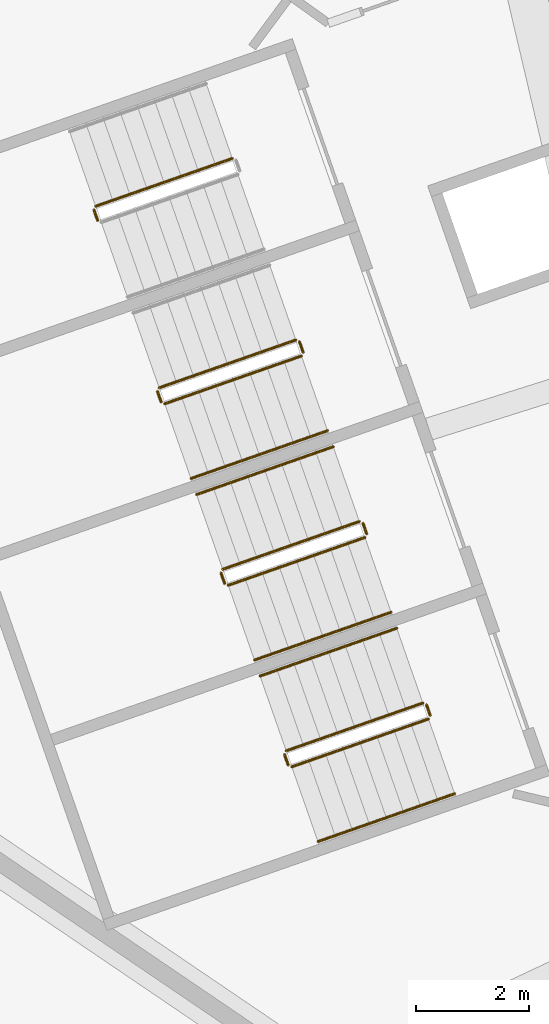
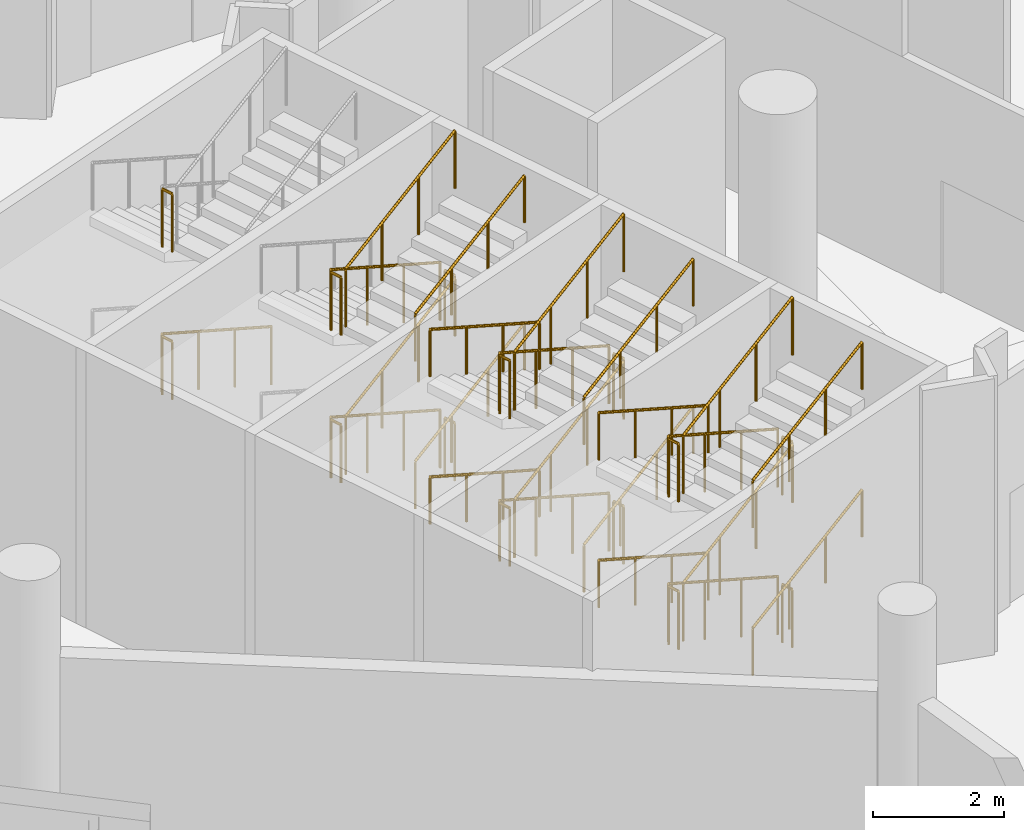
# One storey, part 224 of 271: 37 railings.
"""IFC4 building model written with IfcOpenShell, lengths in metres."""

from ifc_helpers import new_model, si_unit, direction, frame, origin, origin_2d, place, context, subcontext, project, spatial, circle, extrude, material, type_object, element, save


model = new_model("IFC4")

# Units and contexts
model_context = context("Model", 3, precision=1e-05, world=origin(), true_north=direction((0.0, 1.0)))
body_context = subcontext(model_context, "Body", "Model", "MODEL_VIEW")
ifc_project = project(units=[si_unit("LENGTHUNIT", "METRE"), si_unit("AREAUNIT", "SQUARE_METRE"), si_unit("VOLUMEUNIT", "CUBIC_METRE"), si_unit("PLANEANGLEUNIT", "RADIAN"), si_unit("MASSUNIT", "GRAM", prefix="KILO")], contexts=[model_context])

# Site, building, storey
site_placement = place(None, origin())
site = spatial("IfcSite", under=ifc_project, at=site_placement, CompositionType="ELEMENT")
building_placement = place(site_placement, origin())
building = spatial("IfcBuilding", under=site, at=building_placement, Name="Meseta Stadium", CompositionType="ELEMENT")
storey_placement = place(building_placement, frame((0.0, 0.0, 6.5)))
storey = spatial("IfcBuildingStorey", under=building, at=storey_placement, Name="L01", CompositionType="ELEMENT", Elevation=6.5)

# Railings
ifc_material_1 = material(Name="Steel S355", Category="steel")
railing_type_1 = type_object("IfcRailingType", Name="Stair guard 1100", PredefinedType="GUARDRAIL", material=ifc_material_1)
railing_1_placement = place(storey_placement, frame((-88.88720703125, -59.44482421875, 0.15283203125)))
element("IfcRailing", 1, at=railing_1_placement, inside=storey, type_object=railing_type_1, Name="ST77 L01 guard 1", PredefinedType="GUARDRAIL", context=body_context, shape_type="SweptSolid", body=[
    extrude(circle(Radius=0.02392578125, at=origin_2d()), frame((0.0, 0.0, 1.076171875), z_axis=(-0.851812247406, -0.298022409857, 0.430811488231), x_axis=(0.330239980492, -0.943897004595, 0.0)), (0.0, 0.0, 1.0), 2.8369140625),
    extrude(circle(Radius=0.02099609375, at=origin_2d()), origin(), (0.0, 0.0, 1.0), 1.052001953125),
    extrude(circle(Radius=0.02099609375, at=origin_2d()), frame((-0.805419921875, -0.28173828125, 0.407470703125)), (0.0, 0.0, 1.0), 1.052001953125),
    extrude(circle(Radius=0.02099609375, at=origin_2d()), frame((-1.611083984375, -0.563720703125, 0.814697265625)), (0.0, 0.0, 1.0), 1.052001953125),
    extrude(circle(Radius=0.02099609375, at=origin_2d()), frame((-2.41650390625, -0.845458984375, 1.22216796875)), (0.0, 0.0, 1.0), 1.052001953125),
])
for number, where, name in (
    (2, (-91.334228515625, -60.35400390625, 1.375), "ST77 L01 guard 2"),
    (3, (-91.334228515625, -60.35400390625, 4.125), "ST77 L01 guard 6"),
):
    element("IfcRailing", number, at=place(storey_placement, frame(where)), inside=storey, type_object=railing_type_1, Name=name, PredefinedType="GUARDRAIL", context=body_context, shape_type="SweptSolid", body=[
        extrude(circle(Radius=0.02392578125, at=origin_2d()), frame((0.0, 0.0, 1.076171875), z_axis=(0.329751946816, -0.944067610699, 0.0), x_axis=(0.944067610699, 0.329751946816, 0.0)), (0.0, 0.0, 1.0), 0.199951171875),
        extrude(circle(Radius=0.02099609375, at=origin_2d()), origin(), (0.0, 0.0, 1.0), 1.052001953125),
        extrude(circle(Radius=0.02099609375, at=origin_2d()), frame((0.06591796875, -0.188720703125, 0.0)), (0.0, 0.0, 1.0), 1.052001953125),
    ])
railing_2_placement = place(storey_placement, frame((-87.764404296875, -62.654052734375, 0.15283203125)))
element("IfcRailing", 4, at=railing_2_placement, inside=storey, type_object=railing_type_1, Name="ST78 L01 guard 1", PredefinedType="GUARDRAIL", context=body_context, shape_type="SweptSolid", body=[
    extrude(circle(Radius=0.02392578125, at=origin_2d()), frame((0.0, 0.0, 1.076171875), z_axis=(-0.851788628844, -0.298044258026, 0.430843071233), x_axis=(0.330269708658, -0.943886603116, 0.0)), (0.0, 0.0, 1.0), 2.836669921875),
    extrude(circle(Radius=0.02099609375, at=origin_2d()), origin(), (0.0, 0.0, 1.0), 1.052001953125),
    extrude(circle(Radius=0.02099609375, at=origin_2d()), frame((-0.805419921875, -0.28173828125, 0.407470703125)), (0.0, 0.0, 1.0), 1.052001953125),
    extrude(circle(Radius=0.02099609375, at=origin_2d()), frame((-1.61083984375, -0.563720703125, 0.814697265625)), (0.0, 0.0, 1.0), 1.052001953125),
    extrude(circle(Radius=0.02099609375, at=origin_2d()), frame((-2.416259765625, -0.845458984375, 1.22216796875)), (0.0, 0.0, 1.0), 1.052001953125),
])
railing_3_placement = place(storey_placement, frame((-90.21142578125, -63.563232421875, 1.375)))
element("IfcRailing", 5, at=railing_3_placement, inside=storey, type_object=railing_type_1, Name="ST78 L01 guard 2", PredefinedType="GUARDRAIL", context=body_context, shape_type="SweptSolid", body=[
    extrude(circle(Radius=0.02392578125, at=origin_2d()), frame((0.0, 0.0, 1.076171875), z_axis=(0.330839792317, -0.943686935281, 0.0), x_axis=(0.943686935281, 0.330839792317, 0.0)), (0.0, 0.0, 1.0), 0.199951171875),
    extrude(circle(Radius=0.02099609375, at=origin_2d()), origin(), (0.0, 0.0, 1.0), 1.052001953125),
    extrude(circle(Radius=0.02099609375, at=origin_2d()), frame((0.066162109375, -0.188720703125, 0.0)), (0.0, 0.0, 1.0), 1.052001953125),
])
railing_4_placement = place(storey_placement, frame((-90.08154296875, -63.78271484375, 1.52783203125)))
element("IfcRailing", 6, at=railing_4_placement, inside=storey, type_object=railing_type_1, Name="ST78 L01 guard 3", PredefinedType="GUARDRAIL", context=body_context, shape_type="SweptSolid", body=[
    extrude(circle(Radius=0.02392578125, at=origin_2d()), frame((0.0, 0.0, 1.076171875), z_axis=(0.851788628844, 0.298044258026, 0.430843071233), x_axis=(-0.330269708658, 0.943886603116, 0.0)), (0.0, 0.0, 1.0), 2.836669921875),
    extrude(circle(Radius=0.02099609375, at=origin_2d()), origin(), (0.0, 0.0, 1.0), 1.052001953125),
    extrude(circle(Radius=0.02099609375, at=origin_2d()), frame((0.805419921875, 0.28173828125, 0.407470703125)), (0.0, 0.0, 1.0), 1.052001953125),
    extrude(circle(Radius=0.02099609375, at=origin_2d()), frame((1.61083984375, 0.563720703125, 0.814697265625)), (0.0, 0.0, 1.0), 1.052001953125),
    extrude(circle(Radius=0.02099609375, at=origin_2d()), frame((2.416259765625, 0.845458984375, 1.22216796875)), (0.0, 0.0, 1.0), 1.052001953125),
])
railing_5_placement = place(storey_placement, frame((-87.70068359375, -62.6845703125, 2.75)))
element("IfcRailing", 7, at=railing_5_placement, inside=storey, type_object=railing_type_1, Name="ST78 L01 guard 4", PredefinedType="GUARDRAIL", context=body_context, shape_type="SweptSolid", body=[
    extrude(circle(Radius=0.02392578125, at=origin_2d()), frame((0.0, 0.0, 1.076171875), z_axis=(0.330459055601, -0.943820328543, 0.0), x_axis=(0.943820328543, 0.330459055601, 0.0)), (0.0, 0.0, 1.0), 0.2001953125),
    extrude(circle(Radius=0.02099609375, at=origin_2d()), origin(), (0.0, 0.0, 1.0), 1.052001953125),
    extrude(circle(Radius=0.02099609375, at=origin_2d()), frame((0.066162109375, -0.18896484375, 0.0)), (0.0, 0.0, 1.0), 1.052001953125),
])
railing_6_placement = place(storey_placement, frame((-87.764404296875, -62.654052734375, 2.90283203125)))
element("IfcRailing", 8, at=railing_6_placement, inside=storey, type_object=railing_type_1, Name="ST78 L01 guard 5", PredefinedType="GUARDRAIL", context=body_context, shape_type="SweptSolid", body=[
    extrude(circle(Radius=0.02392578125, at=origin_2d()), frame((0.0, 0.0, 1.076171875), z_axis=(-0.851788628844, -0.298044258026, 0.430843071233), x_axis=(0.330269708658, -0.943886603116, 0.0)), (0.0, 0.0, 1.0), 2.836669921875),
    extrude(circle(Radius=0.02099609375, at=origin_2d()), origin(), (0.0, 0.0, 1.0), 1.052001953125),
    extrude(circle(Radius=0.02099609375, at=origin_2d()), frame((-0.805419921875, -0.28173828125, 0.407470703125)), (0.0, 0.0, 1.0), 1.052001953125),
    extrude(circle(Radius=0.02099609375, at=origin_2d()), frame((-1.61083984375, -0.563720703125, 0.814697265625)), (0.0, 0.0, 1.0), 1.052001953125),
    extrude(circle(Radius=0.02099609375, at=origin_2d()), frame((-2.416259765625, -0.845458984375, 1.22216796875)), (0.0, 0.0, 1.0), 1.052001953125),
])
railing_7_placement = place(storey_placement, frame((-90.21142578125, -63.563232421875, 4.125)))
element("IfcRailing", 9, at=railing_7_placement, inside=storey, type_object=railing_type_1, Name="ST78 L01 guard 6", PredefinedType="GUARDRAIL", context=body_context, shape_type="SweptSolid", body=[
    extrude(circle(Radius=0.02392578125, at=origin_2d()), frame((0.0, 0.0, 1.076171875), z_axis=(0.330839792317, -0.943686935281, 0.0), x_axis=(0.943686935281, 0.330839792317, 0.0)), (0.0, 0.0, 1.0), 0.199951171875),
    extrude(circle(Radius=0.02099609375, at=origin_2d()), origin(), (0.0, 0.0, 1.0), 1.052001953125),
    extrude(circle(Radius=0.02099609375, at=origin_2d()), frame((0.066162109375, -0.188720703125, 0.0)), (0.0, 0.0, 1.0), 1.052001953125),
])
railing_8_placement = place(storey_placement, frame((-90.08154296875, -63.78271484375, 4.27783203125)))
element("IfcRailing", 10, at=railing_8_placement, inside=storey, type_object=railing_type_1, Name="ST78 L01 guard 7", PredefinedType="GUARDRAIL", context=body_context, shape_type="SweptSolid", body=[
    extrude(circle(Radius=0.02392578125, at=origin_2d()), frame((0.0, 0.0, 1.076171875), z_axis=(0.851788628844, 0.298044258026, 0.430843071233), x_axis=(-0.330269708658, 0.943886603116, 0.0)), (0.0, 0.0, 1.0), 2.836669921875),
    extrude(circle(Radius=0.02099609375, at=origin_2d()), origin(), (0.0, 0.0, 1.0), 1.052001953125),
    extrude(circle(Radius=0.02099609375, at=origin_2d()), frame((0.805419921875, 0.28173828125, 0.407470703125)), (0.0, 0.0, 1.0), 1.052001953125),
    extrude(circle(Radius=0.02099609375, at=origin_2d()), frame((1.61083984375, 0.563720703125, 0.814697265625)), (0.0, 0.0, 1.0), 1.052001953125),
    extrude(circle(Radius=0.02099609375, at=origin_2d()), frame((2.416259765625, 0.845458984375, 1.22216796875)), (0.0, 0.0, 1.0), 1.052001953125),
])
railing_9_placement = place(storey_placement, frame((-87.70068359375, -62.6845703125, 0.0)))
element("IfcRailing", 11, at=railing_9_placement, inside=storey, type_object=railing_type_1, Name="ST78 L01 guard 8", PredefinedType="GUARDRAIL", context=body_context, shape_type="SweptSolid", body=[
    extrude(circle(Radius=0.02392578125, at=origin_2d()), frame((0.0, 0.0, 1.076171875), z_axis=(0.330459055601, -0.943820328543, 0.0), x_axis=(0.943820328543, 0.330459055601, 0.0)), (0.0, 0.0, 1.0), 0.2001953125),
    extrude(circle(Radius=0.02099609375, at=origin_2d()), origin(), (0.0, 0.0, 1.0), 1.052001953125),
    extrude(circle(Radius=0.02099609375, at=origin_2d()), frame((0.066162109375, -0.18896484375, 0.0)), (0.0, 0.0, 1.0), 1.052001953125),
])
railing_10_placement = place(storey_placement, frame((-86.641357421875, -65.86328125, 0.15283203125)))
element("IfcRailing", 12, at=railing_10_placement, inside=storey, type_object=railing_type_1, Name="ST79 L01 guard 1", PredefinedType="GUARDRAIL", context=body_context, shape_type="SweptSolid", body=[
    extrude(circle(Radius=0.02392578125, at=origin_2d()), frame((0.0, 0.0, 1.076171875), z_axis=(-0.851788628844, -0.298044258026, 0.430843071233), x_axis=(0.330269708658, -0.943886603116, 0.0)), (0.0, 0.0, 1.0), 2.836669921875),
    extrude(circle(Radius=0.02099609375, at=origin_2d()), origin(), (0.0, 0.0, 1.0), 1.052001953125),
    extrude(circle(Radius=0.02099609375, at=origin_2d()), frame((-0.805419921875, -0.28173828125, 0.407470703125)), (0.0, 0.0, 1.0), 1.052001953125),
    extrude(circle(Radius=0.02099609375, at=origin_2d()), frame((-1.61083984375, -0.563720703125, 0.814697265625)), (0.0, 0.0, 1.0), 1.052001953125),
    extrude(circle(Radius=0.02099609375, at=origin_2d()), frame((-2.416259765625, -0.845458984375, 1.22216796875)), (0.0, 0.0, 1.0), 1.052001953125),
])
railing_11_placement = place(storey_placement, frame((-89.08837890625, -66.7724609375, 1.375)))
element("IfcRailing", 13, at=railing_11_placement, inside=storey, type_object=railing_type_1, Name="ST79 L01 guard 2", PredefinedType="GUARDRAIL", context=body_context, shape_type="SweptSolid", body=[
    extrude(circle(Radius=0.02392578125, at=origin_2d()), frame((0.0, 0.0, 1.076171875), z_axis=(0.329751946816, -0.944067610699, 0.0), x_axis=(0.944067610699, 0.329751946816, 0.0)), (0.0, 0.0, 1.0), 0.199951171875),
    extrude(circle(Radius=0.02099609375, at=origin_2d()), origin(), (0.0, 0.0, 1.0), 1.052001953125),
    extrude(circle(Radius=0.02099609375, at=origin_2d()), frame((0.06591796875, -0.188720703125, 0.0)), (0.0, 0.0, 1.0), 1.052001953125),
])
railing_12_placement = place(storey_placement, frame((-88.958740234375, -66.991943359375, 1.52783203125)))
element("IfcRailing", 14, at=railing_12_placement, inside=storey, type_object=railing_type_1, Name="ST79 L01 guard 3", PredefinedType="GUARDRAIL", context=body_context, shape_type="SweptSolid", body=[
    extrude(circle(Radius=0.02392578125, at=origin_2d()), frame((0.0, 0.0, 1.076171875), z_axis=(0.851790398222, 0.298100822332, 0.430800437816), x_axis=(-0.330324938801, 0.943867276054, 0.0)), (0.0, 0.0, 1.0), 2.8369140625),
    extrude(circle(Radius=0.02099609375, at=origin_2d()), origin(), (0.0, 0.0, 1.0), 1.052001953125),
    extrude(circle(Radius=0.02099609375, at=origin_2d()), frame((0.805419921875, 0.281982421875, 0.407470703125)), (0.0, 0.0, 1.0), 1.052001953125),
    extrude(circle(Radius=0.02099609375, at=origin_2d()), frame((1.611083984375, 0.563720703125, 0.814697265625)), (0.0, 0.0, 1.0), 1.052001953125),
    extrude(circle(Radius=0.02099609375, at=origin_2d()), frame((2.41650390625, 0.845703125, 1.22216796875)), (0.0, 0.0, 1.0), 1.052001953125),
])
railing_13_placement = place(storey_placement, frame((-86.57763671875, -65.893798828125, 2.75)))
element("IfcRailing", 15, at=railing_13_placement, inside=storey, type_object=railing_type_1, Name="ST79 L01 guard 4", PredefinedType="GUARDRAIL", context=body_context, shape_type="SweptSolid", body=[
    extrude(circle(Radius=0.02392578125, at=origin_2d()), frame((0.0, 0.0, 1.076171875), z_axis=(0.329372156318, -0.944200181446, 0.0), x_axis=(0.944200181446, 0.329372156318, 0.0)), (0.0, 0.0, 1.0), 0.2001953125),
    extrude(circle(Radius=0.02099609375, at=origin_2d()), origin(), (0.0, 0.0, 1.0), 1.052001953125),
    extrude(circle(Radius=0.02099609375, at=origin_2d()), frame((0.06591796875, -0.18896484375, 0.0)), (0.0, 0.0, 1.0), 1.052001953125),
])
railing_14_placement = place(storey_placement, frame((-86.641357421875, -65.86328125, 2.90283203125)))
element("IfcRailing", 16, at=railing_14_placement, inside=storey, type_object=railing_type_1, Name="ST79 L01 guard 5", PredefinedType="GUARDRAIL", context=body_context, shape_type="SweptSolid", body=[
    extrude(circle(Radius=0.02392578125, at=origin_2d()), frame((0.0, 0.0, 1.076171875), z_axis=(-0.851788628844, -0.298044258026, 0.430843071233), x_axis=(0.330269708658, -0.943886603116, 0.0)), (0.0, 0.0, 1.0), 2.836669921875),
    extrude(circle(Radius=0.02099609375, at=origin_2d()), origin(), (0.0, 0.0, 1.0), 1.052001953125),
    extrude(circle(Radius=0.02099609375, at=origin_2d()), frame((-0.805419921875, -0.28173828125, 0.407470703125)), (0.0, 0.0, 1.0), 1.052001953125),
    extrude(circle(Radius=0.02099609375, at=origin_2d()), frame((-1.61083984375, -0.563720703125, 0.814697265625)), (0.0, 0.0, 1.0), 1.052001953125),
    extrude(circle(Radius=0.02099609375, at=origin_2d()), frame((-2.416259765625, -0.845458984375, 1.22216796875)), (0.0, 0.0, 1.0), 1.052001953125),
])
railing_15_placement = place(storey_placement, frame((-89.08837890625, -66.7724609375, 4.125)))
element("IfcRailing", 17, at=railing_15_placement, inside=storey, type_object=railing_type_1, Name="ST79 L01 guard 6", PredefinedType="GUARDRAIL", context=body_context, shape_type="SweptSolid", body=[
    extrude(circle(Radius=0.02392578125, at=origin_2d()), frame((0.0, 0.0, 1.076171875), z_axis=(0.329751946816, -0.944067610699, 0.0), x_axis=(0.944067610699, 0.329751946816, 0.0)), (0.0, 0.0, 1.0), 0.199951171875),
    extrude(circle(Radius=0.02099609375, at=origin_2d()), origin(), (0.0, 0.0, 1.0), 1.052001953125),
    extrude(circle(Radius=0.02099609375, at=origin_2d()), frame((0.06591796875, -0.188720703125, 0.0)), (0.0, 0.0, 1.0), 1.052001953125),
])
railing_16_placement = place(storey_placement, frame((-88.958740234375, -66.991943359375, 4.27783203125)))
element("IfcRailing", 18, at=railing_16_placement, inside=storey, type_object=railing_type_1, Name="ST79 L01 guard 7", PredefinedType="GUARDRAIL", context=body_context, shape_type="SweptSolid", body=[
    extrude(circle(Radius=0.02392578125, at=origin_2d()), frame((0.0, 0.0, 1.076171875), z_axis=(0.851790398222, 0.298100822332, 0.430800437816), x_axis=(-0.330324938801, 0.943867276054, 0.0)), (0.0, 0.0, 1.0), 2.8369140625),
    extrude(circle(Radius=0.02099609375, at=origin_2d()), origin(), (0.0, 0.0, 1.0), 1.052001953125),
    extrude(circle(Radius=0.02099609375, at=origin_2d()), frame((0.805419921875, 0.281982421875, 0.407470703125)), (0.0, 0.0, 1.0), 1.052001953125),
    extrude(circle(Radius=0.02099609375, at=origin_2d()), frame((1.611083984375, 0.563720703125, 0.814697265625)), (0.0, 0.0, 1.0), 1.052001953125),
    extrude(circle(Radius=0.02099609375, at=origin_2d()), frame((2.41650390625, 0.845703125, 1.22216796875)), (0.0, 0.0, 1.0), 1.052001953125),
])
railing_17_placement = place(storey_placement, frame((-86.57763671875, -65.893798828125, 0.0)))
element("IfcRailing", 19, at=railing_17_placement, inside=storey, type_object=railing_type_1, Name="ST79 L01 guard 8", PredefinedType="GUARDRAIL", context=body_context, shape_type="SweptSolid", body=[
    extrude(circle(Radius=0.02392578125, at=origin_2d()), frame((0.0, 0.0, 1.076171875), z_axis=(0.329372156318, -0.944200181446, 0.0), x_axis=(0.944200181446, 0.329372156318, 0.0)), (0.0, 0.0, 1.0), 0.2001953125),
    extrude(circle(Radius=0.02099609375, at=origin_2d()), origin(), (0.0, 0.0, 1.0), 1.052001953125),
    extrude(circle(Radius=0.02099609375, at=origin_2d()), frame((0.06591796875, -0.18896484375, 0.0)), (0.0, 0.0, 1.0), 1.052001953125),
])
railing_18_placement = place(storey_placement, frame((-85.518310546875, -69.072509765625, 0.15283203125)))
element("IfcRailing", 20, at=railing_18_placement, inside=storey, type_object=railing_type_1, Name="ST80 L01 guard 1", PredefinedType="GUARDRAIL", context=body_context, shape_type="SweptSolid", body=[
    extrude(circle(Radius=0.02392578125, at=origin_2d()), frame((0.0, 0.0, 1.076171875), z_axis=(-0.851812247406, -0.298022409857, 0.430811488231), x_axis=(0.330239980492, -0.943897004595, 0.0)), (0.0, 0.0, 1.0), 2.8369140625),
    extrude(circle(Radius=0.02099609375, at=origin_2d()), origin(), (0.0, 0.0, 1.0), 1.052001953125),
    extrude(circle(Radius=0.02099609375, at=origin_2d()), frame((-0.805419921875, -0.28173828125, 0.407470703125)), (0.0, 0.0, 1.0), 1.052001953125),
    extrude(circle(Radius=0.02099609375, at=origin_2d()), frame((-1.611083984375, -0.563720703125, 0.814697265625)), (0.0, 0.0, 1.0), 1.052001953125),
    extrude(circle(Radius=0.02099609375, at=origin_2d()), frame((-2.41650390625, -0.845458984375, 1.22216796875)), (0.0, 0.0, 1.0), 1.052001953125),
])
railing_19_placement = place(storey_placement, frame((-87.96533203125, -69.981689453125, 1.375)))
element("IfcRailing", 21, at=railing_19_placement, inside=storey, type_object=railing_type_1, Name="ST80 L01 guard 2", PredefinedType="GUARDRAIL", context=body_context, shape_type="SweptSolid", body=[
    extrude(circle(Radius=0.02392578125, at=origin_2d()), frame((0.0, 0.0, 1.076171875), z_axis=(0.329751946816, -0.944067610699, 0.0), x_axis=(0.944067610699, 0.329751946816, 0.0)), (0.0, 0.0, 1.0), 0.199951171875),
    extrude(circle(Radius=0.02099609375, at=origin_2d()), origin(), (0.0, 0.0, 1.0), 1.052001953125),
    extrude(circle(Radius=0.02099609375, at=origin_2d()), frame((0.06591796875, -0.188720703125, 0.0)), (0.0, 0.0, 1.0), 1.052001953125),
])
railing_20_placement = place(storey_placement, frame((-87.835693359375, -70.201171875, 1.52783203125)))
element("IfcRailing", 22, at=railing_20_placement, inside=storey, type_object=railing_type_1, Name="ST80 L01 guard 3", PredefinedType="GUARDRAIL", context=body_context, shape_type="SweptSolid", body=[
    extrude(circle(Radius=0.02392578125, at=origin_2d()), frame((0.0, 0.0, 1.076171875), z_axis=(0.851766777062, 0.298122675128, 0.430832018387), x_axis=(-0.330354672742, 0.943856869551, 0.0)), (0.0, 0.0, 1.0), 2.836669921875),
    extrude(circle(Radius=0.02099609375, at=origin_2d()), origin(), (0.0, 0.0, 1.0), 1.052001953125),
    extrude(circle(Radius=0.02099609375, at=origin_2d()), frame((0.805419921875, 0.281982421875, 0.407470703125)), (0.0, 0.0, 1.0), 1.052001953125),
    extrude(circle(Radius=0.02099609375, at=origin_2d()), frame((1.61083984375, 0.563720703125, 0.814697265625)), (0.0, 0.0, 1.0), 1.052001953125),
    extrude(circle(Radius=0.02099609375, at=origin_2d()), frame((2.416259765625, 0.845703125, 1.22216796875)), (0.0, 0.0, 1.0), 1.052001953125),
])
railing_21_placement = place(storey_placement, frame((-85.454833984375, -69.10302734375, 2.75)))
element("IfcRailing", 23, at=railing_21_placement, inside=storey, type_object=railing_type_1, Name="ST80 L01 guard 4", PredefinedType="GUARDRAIL", context=body_context, shape_type="SweptSolid", body=[
    extrude(circle(Radius=0.02392578125, at=origin_2d()), frame((0.0, 0.0, 1.076171875), z_axis=(0.330839792317, -0.943686935281, 0.0), x_axis=(0.943686935281, 0.330839792317, 0.0)), (0.0, 0.0, 1.0), 0.199951171875),
    extrude(circle(Radius=0.02099609375, at=origin_2d()), origin(), (0.0, 0.0, 1.0), 1.052001953125),
    extrude(circle(Radius=0.02099609375, at=origin_2d()), frame((0.066162109375, -0.188720703125, 0.0)), (0.0, 0.0, 1.0), 1.052001953125),
])
railing_22_placement = place(storey_placement, frame((-85.518310546875, -69.072509765625, 2.90283203125)))
element("IfcRailing", 24, at=railing_22_placement, inside=storey, type_object=railing_type_1, Name="ST80 L01 guard 5", PredefinedType="GUARDRAIL", context=body_context, shape_type="SweptSolid", body=[
    extrude(circle(Radius=0.02392578125, at=origin_2d()), frame((0.0, 0.0, 1.076171875), z_axis=(-0.851812247406, -0.298022409857, 0.430811488231), x_axis=(0.330239980492, -0.943897004595, 0.0)), (0.0, 0.0, 1.0), 2.8369140625),
    extrude(circle(Radius=0.02099609375, at=origin_2d()), origin(), (0.0, 0.0, 1.0), 1.052001953125),
    extrude(circle(Radius=0.02099609375, at=origin_2d()), frame((-0.805419921875, -0.28173828125, 0.407470703125)), (0.0, 0.0, 1.0), 1.052001953125),
    extrude(circle(Radius=0.02099609375, at=origin_2d()), frame((-1.611083984375, -0.563720703125, 0.814697265625)), (0.0, 0.0, 1.0), 1.052001953125),
    extrude(circle(Radius=0.02099609375, at=origin_2d()), frame((-2.41650390625, -0.845458984375, 1.22216796875)), (0.0, 0.0, 1.0), 1.052001953125),
])
railing_23_placement = place(storey_placement, frame((-87.96533203125, -69.981689453125, 4.125)))
element("IfcRailing", 25, at=railing_23_placement, inside=storey, type_object=railing_type_1, Name="ST80 L01 guard 6", PredefinedType="GUARDRAIL", context=body_context, shape_type="SweptSolid", body=[
    extrude(circle(Radius=0.02392578125, at=origin_2d()), frame((0.0, 0.0, 1.076171875), z_axis=(0.329751946816, -0.944067610699, 0.0), x_axis=(0.944067610699, 0.329751946816, 0.0)), (0.0, 0.0, 1.0), 0.199951171875),
    extrude(circle(Radius=0.02099609375, at=origin_2d()), origin(), (0.0, 0.0, 1.0), 1.052001953125),
    extrude(circle(Radius=0.02099609375, at=origin_2d()), frame((0.06591796875, -0.188720703125, 0.0)), (0.0, 0.0, 1.0), 1.052001953125),
])
railing_24_placement = place(storey_placement, frame((-87.835693359375, -70.201171875, 4.27783203125)))
element("IfcRailing", 26, at=railing_24_placement, inside=storey, type_object=railing_type_1, Name="ST80 L01 guard 7", PredefinedType="GUARDRAIL", context=body_context, shape_type="SweptSolid", body=[
    extrude(circle(Radius=0.02392578125, at=origin_2d()), frame((0.0, 0.0, 1.076171875), z_axis=(0.851766777062, 0.298122675128, 0.430832018387), x_axis=(-0.330354672742, 0.943856869551, 0.0)), (0.0, 0.0, 1.0), 2.836669921875),
    extrude(circle(Radius=0.02099609375, at=origin_2d()), origin(), (0.0, 0.0, 1.0), 1.052001953125),
    extrude(circle(Radius=0.02099609375, at=origin_2d()), frame((0.805419921875, 0.281982421875, 0.407470703125)), (0.0, 0.0, 1.0), 1.052001953125),
    extrude(circle(Radius=0.02099609375, at=origin_2d()), frame((1.61083984375, 0.563720703125, 0.814697265625)), (0.0, 0.0, 1.0), 1.052001953125),
    extrude(circle(Radius=0.02099609375, at=origin_2d()), frame((2.416259765625, 0.845703125, 1.22216796875)), (0.0, 0.0, 1.0), 1.052001953125),
])
railing_25_placement = place(storey_placement, frame((-85.454833984375, -69.10302734375, 0.0)))
element("IfcRailing", 27, at=railing_25_placement, inside=storey, type_object=railing_type_1, Name="ST80 L01 guard 8", PredefinedType="GUARDRAIL", context=body_context, shape_type="SweptSolid", body=[
    extrude(circle(Radius=0.02392578125, at=origin_2d()), frame((0.0, 0.0, 1.076171875), z_axis=(0.330839792317, -0.943686935281, 0.0), x_axis=(0.943686935281, 0.330839792317, 0.0)), (0.0, 0.0, 1.0), 0.199951171875),
    extrude(circle(Radius=0.02099609375, at=origin_2d()), origin(), (0.0, 0.0, 1.0), 1.052001953125),
    extrude(circle(Radius=0.02099609375, at=origin_2d()), frame((0.066162109375, -0.188720703125, 0.0)), (0.0, 0.0, 1.0), 1.052001953125),
])
ifc_material_2 = material(Name="Steel S355", Category="steel")
railing_type_2 = type_object("IfcRailingType", Name="Stair handrail 900", PredefinedType="HANDRAIL", material=ifc_material_2)
for number, where, name in (
    (28, (-89.619140625, -65.10400390625, 1.52783203125), "ST78 L01 handrail 2"),
    (29, (-89.619140625, -65.10400390625, 4.27783203125), "ST78 L01 handrail 4"),
):
    element("IfcRailing", number, at=place(storey_placement, frame(where)), inside=storey, type_object=railing_type_2, Name=name, PredefinedType="HANDRAIL", context=body_context, shape_type="SweptSolid", body=[
        extrude(circle(Radius=0.02392578125, at=origin_2d()), frame((0.0, 0.0, 0.8759765625), z_axis=(0.851788628844, 0.298044258026, 0.430843071233), x_axis=(-0.330269708658, 0.943886603116, 0.0)), (0.0, 0.0, 1.0), 2.836669921875),
        extrude(circle(Radius=0.02099609375, at=origin_2d()), origin(), (0.0, 0.0, 1.0), 0.851806640625),
        extrude(circle(Radius=0.02099609375, at=origin_2d()), frame((0.805419921875, 0.28173828125, 0.407470703125)), (0.0, 0.0, 1.0), 0.851806640625),
        extrude(circle(Radius=0.02099609375, at=origin_2d()), frame((1.61083984375, 0.563720703125, 0.814697265625)), (0.0, 0.0, 1.0), 0.851806640625),
        extrude(circle(Radius=0.02099609375, at=origin_2d()), frame((2.416259765625, 0.845458984375, 1.22216796875)), (0.0, 0.0, 1.0), 0.851806640625),
    ])
railing_26_placement = place(storey_placement, frame((-87.103759765625, -64.541748046875, 0.15283203125)))
element("IfcRailing", 30, at=railing_26_placement, inside=storey, type_object=railing_type_2, Name="ST79 L01 handrail 1", PredefinedType="HANDRAIL", context=body_context, shape_type="SweptSolid", body=[
    extrude(circle(Radius=0.02392578125, at=origin_2d()), frame((0.0, 0.0, 0.8759765625), z_axis=(-0.851788628844, -0.298044258026, 0.430843071233), x_axis=(0.330269708658, -0.943886603116, 0.0)), (0.0, 0.0, 1.0), 2.836669921875),
    extrude(circle(Radius=0.02099609375, at=origin_2d()), origin(), (0.0, 0.0, 1.0), 0.851806640625),
    extrude(circle(Radius=0.02099609375, at=origin_2d()), frame((-0.805419921875, -0.28173828125, 0.407470703125)), (0.0, 0.0, 1.0), 0.851806640625),
    extrude(circle(Radius=0.02099609375, at=origin_2d()), frame((-1.61083984375, -0.563720703125, 0.814697265625)), (0.0, 0.0, 1.0), 0.851806640625),
    extrude(circle(Radius=0.02099609375, at=origin_2d()), frame((-2.416259765625, -0.845458984375, 1.22216796875)), (0.0, 0.0, 1.0), 0.851806640625),
])
railing_27_placement = place(storey_placement, frame((-88.496337890625, -68.313232421875, 1.52783203125)))
element("IfcRailing", 31, at=railing_27_placement, inside=storey, type_object=railing_type_2, Name="ST79 L01 handrail 2", PredefinedType="HANDRAIL", context=body_context, shape_type="SweptSolid", body=[
    extrude(circle(Radius=0.02392578125, at=origin_2d()), frame((0.0, 0.0, 0.8759765625), z_axis=(0.851812247406, 0.298022409857, 0.430811488231), x_axis=(-0.330239980492, 0.943897004595, 0.0)), (0.0, 0.0, 1.0), 2.8369140625),
    extrude(circle(Radius=0.02099609375, at=origin_2d()), origin(), (0.0, 0.0, 1.0), 0.851806640625),
    extrude(circle(Radius=0.02099609375, at=origin_2d()), frame((0.805419921875, 0.28173828125, 0.407470703125)), (0.0, 0.0, 1.0), 0.851806640625),
    extrude(circle(Radius=0.02099609375, at=origin_2d()), frame((1.611083984375, 0.563720703125, 0.814697265625)), (0.0, 0.0, 1.0), 0.851806640625),
    extrude(circle(Radius=0.02099609375, at=origin_2d()), frame((2.41650390625, 0.845458984375, 1.22216796875)), (0.0, 0.0, 1.0), 0.851806640625),
])
railing_28_placement = place(storey_placement, frame((-87.103759765625, -64.541748046875, 2.90283203125)))
element("IfcRailing", 32, at=railing_28_placement, inside=storey, type_object=railing_type_2, Name="ST79 L01 handrail 3", PredefinedType="HANDRAIL", context=body_context, shape_type="SweptSolid", body=[
    extrude(circle(Radius=0.02392578125, at=origin_2d()), frame((0.0, 0.0, 0.8759765625), z_axis=(-0.851788628844, -0.298044258026, 0.430843071233), x_axis=(0.330269708658, -0.943886603116, 0.0)), (0.0, 0.0, 1.0), 2.836669921875),
    extrude(circle(Radius=0.02099609375, at=origin_2d()), origin(), (0.0, 0.0, 1.0), 0.851806640625),
    extrude(circle(Radius=0.02099609375, at=origin_2d()), frame((-0.805419921875, -0.28173828125, 0.407470703125)), (0.0, 0.0, 1.0), 0.851806640625),
    extrude(circle(Radius=0.02099609375, at=origin_2d()), frame((-1.61083984375, -0.563720703125, 0.814697265625)), (0.0, 0.0, 1.0), 0.851806640625),
    extrude(circle(Radius=0.02099609375, at=origin_2d()), frame((-2.416259765625, -0.845458984375, 1.22216796875)), (0.0, 0.0, 1.0), 0.851806640625),
])
railing_29_placement = place(storey_placement, frame((-88.496337890625, -68.313232421875, 4.27783203125)))
element("IfcRailing", 33, at=railing_29_placement, inside=storey, type_object=railing_type_2, Name="ST79 L01 handrail 4", PredefinedType="HANDRAIL", context=body_context, shape_type="SweptSolid", body=[
    extrude(circle(Radius=0.02392578125, at=origin_2d()), frame((0.0, 0.0, 0.8759765625), z_axis=(0.851812247406, 0.298022409857, 0.430811488231), x_axis=(-0.330239980492, 0.943897004595, 0.0)), (0.0, 0.0, 1.0), 2.8369140625),
    extrude(circle(Radius=0.02099609375, at=origin_2d()), origin(), (0.0, 0.0, 1.0), 0.851806640625),
    extrude(circle(Radius=0.02099609375, at=origin_2d()), frame((0.805419921875, 0.28173828125, 0.407470703125)), (0.0, 0.0, 1.0), 0.851806640625),
    extrude(circle(Radius=0.02099609375, at=origin_2d()), frame((1.611083984375, 0.563720703125, 0.814697265625)), (0.0, 0.0, 1.0), 0.851806640625),
    extrude(circle(Radius=0.02099609375, at=origin_2d()), frame((2.41650390625, 0.845458984375, 1.22216796875)), (0.0, 0.0, 1.0), 0.851806640625),
])
railing_30_placement = place(storey_placement, frame((-85.980712890625, -67.7509765625, 0.15283203125)))
element("IfcRailing", 34, at=railing_30_placement, inside=storey, type_object=railing_type_2, Name="ST80 L01 handrail 1", PredefinedType="HANDRAIL", context=body_context, shape_type="SweptSolid", body=[
    extrude(circle(Radius=0.02392578125, at=origin_2d()), frame((0.0, 0.0, 0.8759765625), z_axis=(-0.851812247406, -0.298022409857, 0.430811488231), x_axis=(0.330239980492, -0.943897004595, 0.0)), (0.0, 0.0, 1.0), 2.8369140625),
    extrude(circle(Radius=0.02099609375, at=origin_2d()), origin(), (0.0, 0.0, 1.0), 0.851806640625),
    extrude(circle(Radius=0.02099609375, at=origin_2d()), frame((-0.805419921875, -0.28173828125, 0.407470703125)), (0.0, 0.0, 1.0), 0.851806640625),
    extrude(circle(Radius=0.02099609375, at=origin_2d()), frame((-1.611083984375, -0.563720703125, 0.814697265625)), (0.0, 0.0, 1.0), 0.851806640625),
    extrude(circle(Radius=0.02099609375, at=origin_2d()), frame((-2.41650390625, -0.845458984375, 1.22216796875)), (0.0, 0.0, 1.0), 0.851806640625),
])
railing_31_placement = place(storey_placement, frame((-87.373291015625, -71.5224609375, 1.52783203125)))
element("IfcRailing", 35, at=railing_31_placement, inside=storey, type_object=railing_type_2, Name="ST80 L01 handrail 2", PredefinedType="HANDRAIL", context=body_context, shape_type="SweptSolid", body=[
    extrude(circle(Radius=0.02392578125, at=origin_2d()), frame((0.0, 0.0, 0.8759765625), z_axis=(0.851788628844, 0.298044258026, 0.430843071233), x_axis=(-0.330269708658, 0.943886603116, 0.0)), (0.0, 0.0, 1.0), 2.836669921875),
    extrude(circle(Radius=0.02099609375, at=origin_2d()), origin(), (0.0, 0.0, 1.0), 0.851806640625),
    extrude(circle(Radius=0.02099609375, at=origin_2d()), frame((0.805419921875, 0.28173828125, 0.407470703125)), (0.0, 0.0, 1.0), 0.851806640625),
    extrude(circle(Radius=0.02099609375, at=origin_2d()), frame((1.61083984375, 0.563720703125, 0.814697265625)), (0.0, 0.0, 1.0), 0.851806640625),
    extrude(circle(Radius=0.02099609375, at=origin_2d()), frame((2.416259765625, 0.845458984375, 1.22216796875)), (0.0, 0.0, 1.0), 0.851806640625),
])
railing_32_placement = place(storey_placement, frame((-85.980712890625, -67.7509765625, 2.90283203125)))
element("IfcRailing", 36, at=railing_32_placement, inside=storey, type_object=railing_type_2, Name="ST80 L01 handrail 3", PredefinedType="HANDRAIL", context=body_context, shape_type="SweptSolid", body=[
    extrude(circle(Radius=0.02392578125, at=origin_2d()), frame((0.0, 0.0, 0.8759765625), z_axis=(-0.851812247406, -0.298022409857, 0.430811488231), x_axis=(0.330239980492, -0.943897004595, 0.0)), (0.0, 0.0, 1.0), 2.8369140625),
    extrude(circle(Radius=0.02099609375, at=origin_2d()), origin(), (0.0, 0.0, 1.0), 0.851806640625),
    extrude(circle(Radius=0.02099609375, at=origin_2d()), frame((-0.805419921875, -0.28173828125, 0.407470703125)), (0.0, 0.0, 1.0), 0.851806640625),
    extrude(circle(Radius=0.02099609375, at=origin_2d()), frame((-1.611083984375, -0.563720703125, 0.814697265625)), (0.0, 0.0, 1.0), 0.851806640625),
    extrude(circle(Radius=0.02099609375, at=origin_2d()), frame((-2.41650390625, -0.845458984375, 1.22216796875)), (0.0, 0.0, 1.0), 0.851806640625),
])
railing_33_placement = place(storey_placement, frame((-87.373291015625, -71.5224609375, 4.27783203125)))
element("IfcRailing", 37, at=railing_33_placement, inside=storey, type_object=railing_type_2, Name="ST80 L01 handrail 4", PredefinedType="HANDRAIL", context=body_context, shape_type="SweptSolid", body=[
    extrude(circle(Radius=0.02392578125, at=origin_2d()), frame((0.0, 0.0, 0.8759765625), z_axis=(0.851788628844, 0.298044258026, 0.430843071233), x_axis=(-0.330269708658, 0.943886603116, 0.0)), (0.0, 0.0, 1.0), 2.836669921875),
    extrude(circle(Radius=0.02099609375, at=origin_2d()), origin(), (0.0, 0.0, 1.0), 0.851806640625),
    extrude(circle(Radius=0.02099609375, at=origin_2d()), frame((0.805419921875, 0.28173828125, 0.407470703125)), (0.0, 0.0, 1.0), 0.851806640625),
    extrude(circle(Radius=0.02099609375, at=origin_2d()), frame((1.61083984375, 0.563720703125, 0.814697265625)), (0.0, 0.0, 1.0), 0.851806640625),
    extrude(circle(Radius=0.02099609375, at=origin_2d()), frame((2.416259765625, 0.845458984375, 1.22216796875)), (0.0, 0.0, 1.0), 0.851806640625),
])

save(model, "model.ifc")
